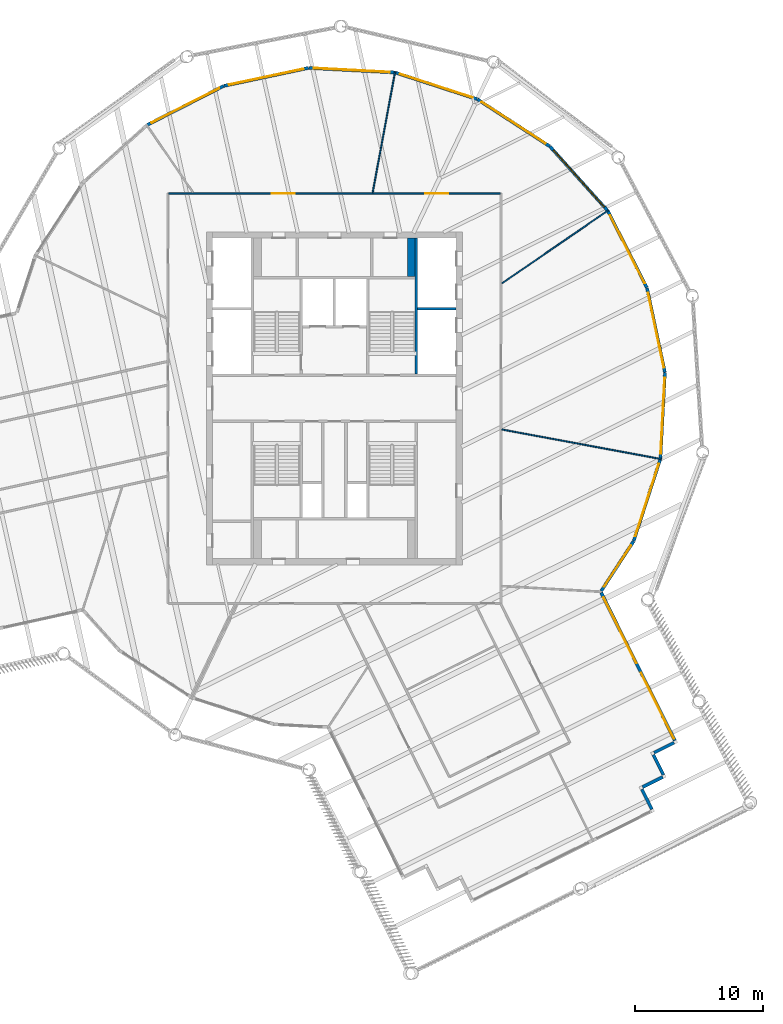
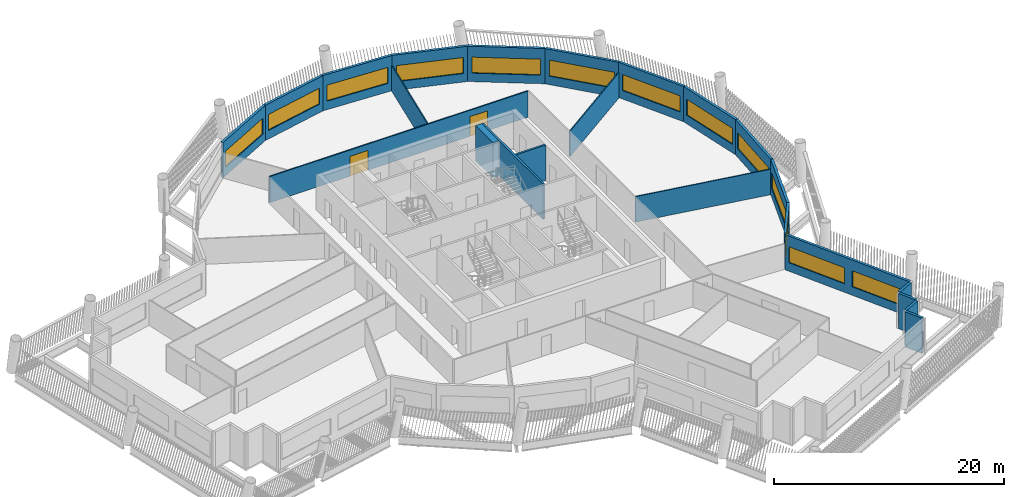
# One storey, part 6 of 14: 23 walls, 13 windows, 2 doors, 15 openings.
"""IFC4 building model written with IfcOpenShell, lengths in metres."""

from ifc_helpers import new_model, si_unit, direction, frame, frame_2d, origin, place, context, subcontext, project, spatial, rectangle, extrude, material, layer, layer_set, type_object, element, fill, save


model = new_model("IFC4")

# Units and contexts
model_context = context("Model", 3, precision=1e-05, world=origin(), true_north=direction((0.0, 1.0)))
body_context = subcontext(model_context, "Body", "Model", "MODEL_VIEW")
ifc_project = project(units=[si_unit("LENGTHUNIT", "METRE"), si_unit("AREAUNIT", "SQUARE_METRE"), si_unit("VOLUMEUNIT", "CUBIC_METRE"), si_unit("PLANEANGLEUNIT", "RADIAN"), si_unit("MASSUNIT", "GRAM", prefix="KILO")], contexts=[model_context])

# Site, building, storey
site_placement = place(None, origin())
site = spatial("IfcSite", under=ifc_project, at=site_placement, CompositionType="ELEMENT")
building_placement = place(site_placement, origin())
building = spatial("IfcBuilding", under=site, at=building_placement, Name="Tarsis Ring Headquarters", CompositionType="ELEMENT")
storey_placement = place(building_placement, frame((0.0, 0.0, 335.300048828125)))
storey = spatial("IfcBuildingStorey", under=building, at=storey_placement, Name="L79", CompositionType="ELEMENT", Elevation=335.300048828125)

# Walls
ifc_material_1 = material(Name="Gypsum board on steel studs", Category="steel")
ifc_layer_1 = layer(ifc_material_1, 0.10009765625)
ifc_layer_set_1 = layer_set([ifc_layer_1], Name="FL partition 100 unrated")
wall_type_1 = type_object("IfcWallType", Name="FL partition 100 unrated", PredefinedType="PARTITIONING", material=ifc_layer_set_1)
wall_1_placement = place(storey_placement, frame((13.06884765625, -2.427001953125, 0.0), z_axis=(0.0, 0.0, 1.0), x_axis=(0.983192594847, -0.182571414622, 0.0)))
element("IfcWall", 1, at=wall_1_placement, inside=storey, type_object=wall_type_1, Name="Partition PW3", PredefinedType="PARTITIONING", context=body_context, shape_type="SweptSolid", body=[
    extrude(rectangle(XDim=12.655517578125, YDim=0.10009765625, at=frame_2d((6.32763671875, 0.0))), origin(), (0.0, 0.0, 1.0), 2.699951171875),
])
wall_2_placement = place(storey_placement, frame((13.08251953125, 8.984619140625, 0.0), z_axis=(0.0, 0.0, 1.0), x_axis=(0.824315391266, 0.566130846821, 0.0)))
element("IfcWall", 2, at=wall_2_placement, inside=storey, type_object=wall_type_1, Name="Partition PW3", PredefinedType="PARTITIONING", context=body_context, shape_type="SweptSolid", body=[
    extrude(rectangle(XDim=10.077392578125, YDim=0.10009765625, at=frame_2d((5.03857421875, 0.0))), origin(), (0.0, 0.0, 1.0), 2.699951171875),
])
wall_3_placement = place(storey_placement, frame((2.98388671875, 16.06884765625, 0.0), z_axis=(0.0, 0.0, 1.0), x_axis=(0.182590789708, 0.983188996843, 0.0)))
element("IfcWall", 3, at=wall_3_placement, inside=storey, type_object=wall_type_1, Name="Partition PW3", PredefinedType="PARTITIONING", context=body_context, shape_type="SweptSolid", body=[
    extrude(rectangle(XDim=9.604248046875, YDim=0.10009765625, at=frame_2d((4.80224609375, 0.0))), origin(), (0.0, 0.0, 1.0), 2.699951171875),
])

# Wall, openings, doors
ifc_layer_2 = layer(ifc_material_1, 0.125)
ifc_layer_set_2 = layer_set([ifc_layer_2], Name="FL partition 125 EI 60 H2770")
wall_type_2 = type_object("IfcWallType", Name="FL partition 125 EI 60 H2770", PredefinedType="PARTITIONING", material=ifc_layer_set_2)
wall_4_placement = place(storey_placement, frame((-12.93994140625, 16.0, 0.0), z_axis=(0.0, 0.0, 1.0), x_axis=(1.0, 0.0, 0.0)))
wall_4 = element("IfcWall", 4, at=wall_4_placement, inside=storey, type_object=wall_type_2, Name="Partition PW1", PredefinedType="PARTITIONING", context=body_context, shape_type="SweptSolid", body=[
    extrude(rectangle(XDim=25.8798828125, YDim=0.125, at=frame_2d((12.93994140625, 0.0))), origin(), (0.0, 0.0, 1.0), 2.77001953125),
])
opening_1_placement = place(wall_4_placement, frame((8.031494140625, 0.0, 0.0)))
opening_1 = element("IfcOpeningElement", 5, at=opening_1_placement, cuts=wall_4, Name="Opening D79.05", PredefinedType="OPENING", context=body_context, shape_type="SweptSolid", body=[
    extrude(rectangle(XDim=1.800048828125, YDim=2.10009765625, at=frame_2d((0.89990234375, 1.050048828125))), frame((0.0, 0.072509765625, 0.0), z_axis=(0.0, -1.0, 0.0), x_axis=(1.0, 0.0, 0.0)), (0.0, 0.0, 1.0), 0.14501953125),
])
opening_2_placement = place(wall_4_placement, frame((20.025634765625, 0.0, 0.0)))
opening_2 = element("IfcOpeningElement", 6, at=opening_2_placement, cuts=wall_4, Name="Opening D79.06", PredefinedType="OPENING", context=body_context, shape_type="SweptSolid", body=[
    extrude(rectangle(XDim=1.800048828125, YDim=2.10009765625, at=frame_2d((0.89990234375, 1.050048828125))), frame((0.0, 0.072509765625, 0.0), z_axis=(0.0, -1.0, 0.0), x_axis=(1.0, 0.0, 0.0)), (0.0, 0.0, 1.0), 0.14501953125),
])
ifc_material_2 = material(Name="Fire-rated timber door leaf in steel frame", Category="steel")
door_type = type_object("IfcDoorType", Name="FL door FD60-1800", OperationType="DOUBLE_DOOR_SINGLE_SWING", PredefinedType="DOOR", material=ifc_material_2)
door_1_placement = place(opening_1_placement, origin())
door_1 = element("IfcDoor", 7, at=door_1_placement, inside=storey, type_object=door_type, Name="Door D79.05", OperationType="DOUBLE_DOOR_SINGLE_SWING", OverallHeight=2.10009765625, OverallWidth=1.800048828125, PredefinedType="DOOR", context=body_context, shape_type="SweptSolid", body=[
    extrude(rectangle(XDim=1.800048828125, YDim=2.10009765625, at=frame_2d((0.89990234375, 1.050048828125))), frame((0.0, 0.02490234375, 0.0), z_axis=(0.0, -1.0, 0.0), x_axis=(1.0, 0.0, 0.0)), (0.0, 0.0, 1.0), 0.050048828125),
])
fill(opening_1, door_1)
door_2_placement = place(opening_2_placement, origin())
door_2 = element("IfcDoor", 8, at=door_2_placement, inside=storey, type_object=door_type, Name="Door D79.06", OperationType="DOUBLE_DOOR_SINGLE_SWING", OverallHeight=2.10009765625, OverallWidth=1.800048828125, PredefinedType="DOOR", context=body_context, shape_type="SweptSolid", body=[
    extrude(rectangle(XDim=1.800048828125, YDim=2.10009765625, at=frame_2d((0.89990234375, 1.050048828125))), frame((0.0, 0.02490234375, 0.0), z_axis=(0.0, -1.0, 0.0), x_axis=(1.0, 0.0, 0.0)), (0.0, 0.0, 1.0), 0.050048828125),
])
fill(opening_2, door_2)

# Walls
ifc_material_3 = material(Name="Terracotta clad insulated panel wall", Category="masonry")
ifc_layer_3 = layer(ifc_material_3, 0.25)
ifc_layer_set_3 = layer_set([ifc_layer_3], Name="Facade wall terracotta panel 250")
wall_type_3 = type_object("IfcWallType", Name="Facade wall terracotta panel 250", PredefinedType="STANDARD", material=ifc_layer_set_3)
wall_5_placement = place(storey_placement, frame((24.772705078125, -32.068603515625, 0.0), z_axis=(0.0, 0.0, 1.0), x_axis=(-0.445818126326, 0.895123565905, 0.0)))
element("IfcWall", 9, at=wall_5_placement, inside=storey, type_object=wall_type_3, Name="External wall L79-12", PredefinedType="STANDARD", context=body_context, shape_type="SweptSolid", body=[
    extrude(rectangle(XDim=1.750244140625, YDim=0.25, at=frame_2d((0.875, 0.0))), origin(), (0.0, 0.0, 1.0), 3.739990234375),
])
for number, where, z_axis, x_axis, name in (
    (10, (24.048583984375, -30.33447265625, 0.0), (0.0, 0.0, 1.0), (0.895095836041, 0.445873798627, 0.0), "External wall L79-13"),
    (11, (25.671142578125, -29.386474609375, 0.0), (0.0, 0.0, 1.0), (-0.445873798627, 0.895095836041, 0.0), "External wall L79-14"),
    (12, (24.947021484375, -27.652587890625, 0.0), (0.0, 0.0, 1.0), (0.895095836041, 0.445873798627, 0.0), "External wall L79-15"),
):
    element("IfcWall", number, at=place(storey_placement, frame(where, z_axis=z_axis, x_axis=x_axis)), inside=storey, type_object=wall_type_3, Name=name, PredefinedType="STANDARD", context=body_context, shape_type="SweptSolid", body=[
        extrude(rectangle(XDim=1.75, YDim=0.25, at=frame_2d((0.875, 0.0))), origin(), (0.0, 0.0, 1.0), 3.739990234375),
    ])

# Wall, openings, windows
wall_6_placement = place(storey_placement, frame((26.569580078125, -26.70458984375, 0.0), z_axis=(0.0, 0.0, 1.0), x_axis=(-0.445880868997, 0.895092314045, 0.0)))
wall_6 = element("IfcWall", 13, at=wall_6_placement, inside=storey, type_object=wall_type_3, Name="External wall L79-16", PredefinedType="STANDARD", context=body_context, shape_type="SweptSolid", body=[
    extrude(rectangle(XDim=12.9013671875, YDim=0.25, at=frame_2d((6.45068359375, 0.0))), origin(), (0.0, 0.0, 1.0), 3.739990234375),
])
opening_3_placement = place(wall_6_placement, frame((0.162841796875, 0.0, 0.89990234375)))
opening_3 = element("IfcOpeningElement", 14, at=opening_3_placement, cuts=wall_6, Name="Opening WN06", PredefinedType="OPENING", context=body_context, shape_type="SweptSolid", body=[
    extrude(rectangle(XDim=5.75, YDim=1.699951171875, at=frame_2d((2.875, 0.85009765625))), frame((0.0, 0.135009765625, 0.0), z_axis=(0.0, -1.0, 0.0), x_axis=(1.0, 0.0, 0.0)), (0.0, 0.0, 1.0), 0.27001953125),
])
opening_4_placement = place(wall_6_placement, frame((6.738525390625, 0.0, 0.89990234375)))
opening_4 = element("IfcOpeningElement", 15, at=opening_4_placement, cuts=wall_6, Name="Opening WN06", PredefinedType="OPENING", context=body_context, shape_type="SweptSolid", body=[
    extrude(rectangle(XDim=5.75, YDim=1.699951171875, at=frame_2d((2.875, 0.85009765625))), frame((0.0, 0.135009765625, 0.0), z_axis=(0.0, -1.0, 0.0), x_axis=(1.0, 0.0, 0.0)), (0.0, 0.0, 1.0), 0.27001953125),
])
ifc_material_4 = material(Name="Aluminium framed double glazing", Category="aluminium")
window_type_1 = type_object("IfcWindowType", Name="Facade window 5750 x 1700", PartitioningType="SINGLE_PANEL", PredefinedType="WINDOW", material=ifc_material_4)
window_1_placement = place(opening_3_placement, origin())
window_1 = element("IfcWindow", 16, at=window_1_placement, inside=storey, type_object=window_type_1, Name="Window L79-16.1", OverallHeight=1.699951171875, OverallWidth=5.75, PartitioningType="SINGLE_PANEL", PredefinedType="WINDOW", context=body_context, shape_type="SweptSolid", body=[
    extrude(rectangle(XDim=5.75, YDim=1.699951171875, at=frame_2d((2.875, 0.85009765625))), frame((0.0, 0.030029296875, 0.0), z_axis=(0.0, -1.0, 0.0), x_axis=(1.0, 0.0, 0.0)), (0.0, 0.0, 1.0), 0.06005859375),
])
fill(opening_3, window_1)
window_2_placement = place(opening_4_placement, origin())
window_2 = element("IfcWindow", 17, at=window_2_placement, inside=storey, type_object=window_type_1, Name="Window L79-16.2", OverallHeight=1.699951171875, OverallWidth=5.75, PartitioningType="SINGLE_PANEL", PredefinedType="WINDOW", context=body_context, shape_type="SweptSolid", body=[
    extrude(rectangle(XDim=5.75, YDim=1.699951171875, at=frame_2d((2.875, 0.85009765625))), frame((0.0, 0.030029296875, 0.0), z_axis=(0.0, -1.0, 0.0), x_axis=(1.0, 0.0, 0.0)), (0.0, 0.0, 1.0), 0.06005859375),
])
fill(opening_4, window_2)

# Wall, opening, window
wall_7_placement = place(storey_placement, frame((20.82421875, -15.032958984375, 0.0), z_axis=(0.0, 0.0, 1.0), x_axis=(0.544914016864, 0.838491928539, 0.0)))
wall_7 = element("IfcWall", 18, at=wall_7_placement, inside=storey, type_object=wall_type_3, Name="External wall L79-17", PredefinedType="STANDARD", context=body_context, shape_type="SweptSolid", body=[
    extrude(rectangle(XDim=4.617919921875, YDim=0.25, at=frame_2d((2.30908203125, 0.0))), origin(), (0.0, 0.0, 1.0), 3.739990234375),
])
opening_5_placement = place(wall_7_placement, frame((0.400390625, 0.0, 0.89990234375)))
opening_5 = element("IfcOpeningElement", 19, at=opening_5_placement, cuts=wall_7, Name="Opening WN02", PredefinedType="OPENING", context=body_context, shape_type="SweptSolid", body=[
    extrude(rectangle(XDim=3.85009765625, YDim=1.699951171875, at=frame_2d((1.925048828125, 0.85009765625))), frame((0.0, 0.135009765625, 0.0), z_axis=(0.0, -1.0, 0.0), x_axis=(1.0, 0.0, 0.0)), (0.0, 0.0, 1.0), 0.27001953125),
])
window_type_2 = type_object("IfcWindowType", Name="Facade window 3850 x 1700", PartitioningType="SINGLE_PANEL", PredefinedType="WINDOW", material=ifc_material_4)
window_3_placement = place(opening_5_placement, origin())
window_3 = element("IfcWindow", 20, at=window_3_placement, inside=storey, type_object=window_type_2, Name="Window L79-17.1", OverallHeight=1.699951171875, OverallWidth=3.85009765625, PartitioningType="SINGLE_PANEL", PredefinedType="WINDOW", context=body_context, shape_type="SweptSolid", body=[
    extrude(rectangle(XDim=3.85009765625, YDim=1.699951171875, at=frame_2d((1.925048828125, 0.85009765625))), frame((0.0, 0.030029296875, 0.0), z_axis=(0.0, -1.0, 0.0), x_axis=(1.0, 0.0, 0.0)), (0.0, 0.0, 1.0), 0.06005859375),
])
fill(opening_5, window_3)

wall_8_placement = place(storey_placement, frame((23.354736328125, -11.131591796875, 0.0), z_axis=(0.0, 0.0, 1.0), x_axis=(0.309321778756, 0.950957431848, 0.0)))
wall_8 = element("IfcWall", 21, at=wall_8_placement, inside=storey, type_object=wall_type_3, Name="External wall L79-18", PredefinedType="STANDARD", context=body_context, shape_type="SweptSolid", body=[
    extrude(rectangle(XDim=6.721435546875, YDim=0.25, at=frame_2d((3.36083984375, 0.0))), origin(), (0.0, 0.0, 1.0), 3.739990234375),
])
opening_6_placement = place(wall_8_placement, frame((0.3857421875, 0.0, 0.89990234375)))
opening_6 = element("IfcOpeningElement", 22, at=opening_6_placement, cuts=wall_8, Name="Opening WN07", PredefinedType="OPENING", context=body_context, shape_type="SweptSolid", body=[
    extrude(rectangle(XDim=5.949951171875, YDim=1.699951171875, at=frame_2d((2.97509765625, 0.85009765625))), frame((0.0, 0.135009765625, 0.0), z_axis=(0.0, -1.0, 0.0), x_axis=(1.0, 0.0, 0.0)), (0.0, 0.0, 1.0), 0.27001953125),
])
window_type_3 = type_object("IfcWindowType", Name="Facade window 5950 x 1700", PartitioningType="SINGLE_PANEL", PredefinedType="WINDOW", material=ifc_material_4)
window_4_placement = place(opening_6_placement, origin())
window_4 = element("IfcWindow", 23, at=window_4_placement, inside=storey, type_object=window_type_3, Name="Window L79-18.1", OverallHeight=1.699951171875, OverallWidth=5.949951171875, PartitioningType="SINGLE_PANEL", PredefinedType="WINDOW", context=body_context, shape_type="SweptSolid", body=[
    extrude(rectangle(XDim=5.949951171875, YDim=1.699951171875, at=frame_2d((2.97509765625, 0.85009765625))), frame((0.0, 0.030029296875, 0.0), z_axis=(0.0, -1.0, 0.0), x_axis=(1.0, 0.0, 0.0)), (0.0, 0.0, 1.0), 0.06005859375),
])
fill(opening_6, window_4)

wall_9_placement = place(storey_placement, frame((25.43994140625, -4.70751953125, 0.0), z_axis=(0.0, 0.0, 1.0), x_axis=(0.052667499036, 0.998612104145, 0.0)))
wall_9 = element("IfcWall", 24, at=wall_9_placement, inside=storey, type_object=wall_type_3, Name="External wall L79-19", PredefinedType="STANDARD", context=body_context, shape_type="SweptSolid", body=[
    extrude(rectangle(XDim=6.721435546875, YDim=0.25, at=frame_2d((3.36083984375, 0.0))), origin(), (0.0, 0.0, 1.0), 3.739990234375),
])
opening_7_placement = place(wall_9_placement, frame((0.3857421875, 0.0, 0.89990234375)))
opening_7 = element("IfcOpeningElement", 25, at=opening_7_placement, cuts=wall_9, Name="Opening WN07", PredefinedType="OPENING", context=body_context, shape_type="SweptSolid", body=[
    extrude(rectangle(XDim=5.949951171875, YDim=1.699951171875, at=frame_2d((2.97509765625, 0.85009765625))), frame((0.0, 0.135009765625, 0.0), z_axis=(0.0, -1.0, 0.0), x_axis=(1.0, 0.0, 0.0)), (0.0, 0.0, 1.0), 0.27001953125),
])
window_5_placement = place(opening_7_placement, origin())
window_5 = element("IfcWindow", 26, at=window_5_placement, inside=storey, type_object=window_type_3, Name="Window L79-19.1", OverallHeight=1.699951171875, OverallWidth=5.949951171875, PartitioningType="SINGLE_PANEL", PredefinedType="WINDOW", context=body_context, shape_type="SweptSolid", body=[
    extrude(rectangle(XDim=5.949951171875, YDim=1.699951171875, at=frame_2d((2.97509765625, 0.85009765625))), frame((0.0, 0.030029296875, 0.0), z_axis=(0.0, -1.0, 0.0), x_axis=(1.0, 0.0, 0.0)), (0.0, 0.0, 1.0), 0.06005859375),
])
fill(opening_7, window_5)

wall_10_placement = place(storey_placement, frame((25.79150390625, 2.037109375, 0.0), z_axis=(0.0, 0.0, 1.0), x_axis=(-0.207578989768, 0.978218259392, 0.0)))
wall_10 = element("IfcWall", 27, at=wall_10_placement, inside=storey, type_object=wall_type_3, Name="External wall L79-20", PredefinedType="STANDARD", context=body_context, shape_type="SweptSolid", body=[
    extrude(rectangle(XDim=6.7216796875, YDim=0.25, at=frame_2d((3.36083984375, 0.0))), origin(), (0.0, 0.0, 1.0), 3.739990234375),
])
opening_8_placement = place(wall_10_placement, frame((0.3857421875, 0.0, 0.89990234375)))
opening_8 = element("IfcOpeningElement", 28, at=opening_8_placement, cuts=wall_10, Name="Opening WN07", PredefinedType="OPENING", context=body_context, shape_type="SweptSolid", body=[
    extrude(rectangle(XDim=5.949951171875, YDim=1.699951171875, at=frame_2d((2.97509765625, 0.85009765625))), frame((0.0, 0.135009765625, 0.0), z_axis=(0.0, -1.0, 0.0), x_axis=(1.0, 0.0, 0.0)), (0.0, 0.0, 1.0), 0.27001953125),
])
window_6_placement = place(opening_8_placement, origin())
window_6 = element("IfcWindow", 29, at=window_6_placement, inside=storey, type_object=window_type_3, Name="Window L79-20.1", OverallHeight=1.699951171875, OverallWidth=5.949951171875, PartitioningType="SINGLE_PANEL", PredefinedType="WINDOW", context=body_context, shape_type="SweptSolid", body=[
    extrude(rectangle(XDim=5.949951171875, YDim=1.699951171875, at=frame_2d((2.97509765625, 0.85009765625))), frame((0.0, 0.030029296875, 0.0), z_axis=(0.0, -1.0, 0.0), x_axis=(1.0, 0.0, 0.0)), (0.0, 0.0, 1.0), 0.06005859375),
])
fill(opening_8, window_6)

wall_11_placement = place(storey_placement, frame((24.385498046875, 8.64306640625, 0.0), z_axis=(0.0, 0.0, 1.0), x_axis=(-0.453696152339, 0.891156440448, 0.0)))
wall_11 = element("IfcWall", 30, at=wall_11_placement, inside=storey, type_object=wall_type_3, Name="External wall L79-21", PredefinedType="STANDARD", context=body_context, shape_type="SweptSolid", body=[
    extrude(rectangle(XDim=6.7216796875, YDim=0.25, at=frame_2d((3.36083984375, 0.0))), origin(), (0.0, 0.0, 1.0), 3.739990234375),
])
opening_9_placement = place(wall_11_placement, frame((0.3857421875, 0.0, 0.89990234375)))
opening_9 = element("IfcOpeningElement", 31, at=opening_9_placement, cuts=wall_11, Name="Opening WN07", PredefinedType="OPENING", context=body_context, shape_type="SweptSolid", body=[
    extrude(rectangle(XDim=5.949951171875, YDim=1.699951171875, at=frame_2d((2.97509765625, 0.85009765625))), frame((0.0, 0.135009765625, 0.0), z_axis=(0.0, -1.0, 0.0), x_axis=(1.0, 0.0, 0.0)), (0.0, 0.0, 1.0), 0.27001953125),
])
window_7_placement = place(opening_9_placement, origin())
window_7 = element("IfcWindow", 32, at=window_7_placement, inside=storey, type_object=window_type_3, Name="Window L79-21.1", OverallHeight=1.699951171875, OverallWidth=5.949951171875, PartitioningType="SINGLE_PANEL", PredefinedType="WINDOW", context=body_context, shape_type="SweptSolid", body=[
    extrude(rectangle(XDim=5.949951171875, YDim=1.699951171875, at=frame_2d((2.97509765625, 0.85009765625))), frame((0.0, 0.030029296875, 0.0), z_axis=(0.0, -1.0, 0.0), x_axis=(1.0, 0.0, 0.0)), (0.0, 0.0, 1.0), 0.06005859375),
])
fill(opening_9, window_7)

wall_12_placement = place(storey_placement, frame((21.3173828125, 14.659912109375, 0.0), z_axis=(0.0, 0.0, 1.0), x_axis=(-0.66887642943, 0.743373608728, 0.0)))
wall_12 = element("IfcWall", 33, at=wall_12_placement, inside=storey, type_object=wall_type_3, Name="External wall L79-22", PredefinedType="STANDARD", context=body_context, shape_type="SweptSolid", body=[
    extrude(rectangle(XDim=6.721435546875, YDim=0.25, at=frame_2d((3.36083984375, 0.0))), origin(), (0.0, 0.0, 1.0), 3.739990234375),
])
opening_10_placement = place(wall_12_placement, frame((0.3857421875, 0.0, 0.89990234375)))
opening_10 = element("IfcOpeningElement", 34, at=opening_10_placement, cuts=wall_12, Name="Opening WN07", PredefinedType="OPENING", context=body_context, shape_type="SweptSolid", body=[
    extrude(rectangle(XDim=5.949951171875, YDim=1.699951171875, at=frame_2d((2.97509765625, 0.85009765625))), frame((0.0, 0.135009765625, 0.0), z_axis=(0.0, -1.0, 0.0), x_axis=(1.0, 0.0, 0.0)), (0.0, 0.0, 1.0), 0.27001953125),
])
window_8_placement = place(opening_10_placement, origin())
window_8 = element("IfcWindow", 35, at=window_8_placement, inside=storey, type_object=window_type_3, Name="Window L79-22.1", OverallHeight=1.699951171875, OverallWidth=5.949951171875, PartitioningType="SINGLE_PANEL", PredefinedType="WINDOW", context=body_context, shape_type="SweptSolid", body=[
    extrude(rectangle(XDim=5.949951171875, YDim=1.699951171875, at=frame_2d((2.97509765625, 0.85009765625))), frame((0.0, 0.030029296875, 0.0), z_axis=(0.0, -1.0, 0.0), x_axis=(1.0, 0.0, 0.0)), (0.0, 0.0, 1.0), 0.06005859375),
])
fill(opening_10, window_8)

wall_13_placement = place(storey_placement, frame((16.796875, 19.677734375, 0.0), z_axis=(0.0, 0.0, 1.0), x_axis=(-0.838480957136, 0.544930898848, 0.0)))
wall_13 = element("IfcWall", 36, at=wall_13_placement, inside=storey, type_object=wall_type_3, Name="External wall L79-23", PredefinedType="STANDARD", context=body_context, shape_type="SweptSolid", body=[
    extrude(rectangle(XDim=6.7216796875, YDim=0.25, at=frame_2d((3.36083984375, 0.0))), origin(), (0.0, 0.0, 1.0), 3.739990234375),
])
opening_11_placement = place(wall_13_placement, frame((0.3857421875, 0.0, 0.89990234375)))
opening_11 = element("IfcOpeningElement", 37, at=opening_11_placement, cuts=wall_13, Name="Opening WN07", PredefinedType="OPENING", context=body_context, shape_type="SweptSolid", body=[
    extrude(rectangle(XDim=5.949951171875, YDim=1.699951171875, at=frame_2d((2.97509765625, 0.85009765625))), frame((0.0, 0.135009765625, 0.0), z_axis=(0.0, -1.0, 0.0), x_axis=(1.0, 0.0, 0.0)), (0.0, 0.0, 1.0), 0.27001953125),
])
window_9_placement = place(opening_11_placement, origin())
window_9 = element("IfcWindow", 38, at=window_9_placement, inside=storey, type_object=window_type_3, Name="Window L79-23.1", OverallHeight=1.699951171875, OverallWidth=5.949951171875, PartitioningType="SINGLE_PANEL", PredefinedType="WINDOW", context=body_context, shape_type="SweptSolid", body=[
    extrude(rectangle(XDim=5.949951171875, YDim=1.699951171875, at=frame_2d((2.97509765625, 0.85009765625))), frame((0.0, 0.030029296875, 0.0), z_axis=(0.0, -1.0, 0.0), x_axis=(1.0, 0.0, 0.0)), (0.0, 0.0, 1.0), 0.06005859375),
])
fill(opening_11, window_9)

wall_14_placement = place(storey_placement, frame((11.131591796875, 23.354736328125, 0.0), z_axis=(0.0, 0.0, 1.0), x_axis=(-0.950957431848, 0.309321778756, 0.0)))
wall_14 = element("IfcWall", 39, at=wall_14_placement, inside=storey, type_object=wall_type_3, Name="External wall L79-24", PredefinedType="STANDARD", context=body_context, shape_type="SweptSolid", body=[
    extrude(rectangle(XDim=6.721435546875, YDim=0.25, at=frame_2d((3.36083984375, 0.0))), origin(), (0.0, 0.0, 1.0), 3.739990234375),
])
opening_12_placement = place(wall_14_placement, frame((0.3857421875, 0.0, 0.89990234375)))
opening_12 = element("IfcOpeningElement", 40, at=opening_12_placement, cuts=wall_14, Name="Opening WN07", PredefinedType="OPENING", context=body_context, shape_type="SweptSolid", body=[
    extrude(rectangle(XDim=5.949951171875, YDim=1.699951171875, at=frame_2d((2.97509765625, 0.85009765625))), frame((0.0, 0.135009765625, 0.0), z_axis=(0.0, -1.0, 0.0), x_axis=(1.0, 0.0, 0.0)), (0.0, 0.0, 1.0), 0.27001953125),
])
window_10_placement = place(opening_12_placement, origin())
window_10 = element("IfcWindow", 41, at=window_10_placement, inside=storey, type_object=window_type_3, Name="Window L79-24.1", OverallHeight=1.699951171875, OverallWidth=5.949951171875, PartitioningType="SINGLE_PANEL", PredefinedType="WINDOW", context=body_context, shape_type="SweptSolid", body=[
    extrude(rectangle(XDim=5.949951171875, YDim=1.699951171875, at=frame_2d((2.97509765625, 0.85009765625))), frame((0.0, 0.030029296875, 0.0), z_axis=(0.0, -1.0, 0.0), x_axis=(1.0, 0.0, 0.0)), (0.0, 0.0, 1.0), 0.06005859375),
])
fill(opening_12, window_10)

wall_15_placement = place(storey_placement, frame((4.70751953125, 25.43994140625, 0.0), z_axis=(0.0, 0.0, 1.0), x_axis=(-0.998612104145, 0.052667499036, 0.0)))
wall_15 = element("IfcWall", 42, at=wall_15_placement, inside=storey, type_object=wall_type_3, Name="External wall L79-25", PredefinedType="STANDARD", context=body_context, shape_type="SweptSolid", body=[
    extrude(rectangle(XDim=6.721435546875, YDim=0.25, at=frame_2d((3.36083984375, 0.0))), origin(), (0.0, 0.0, 1.0), 3.739990234375),
])
opening_13_placement = place(wall_15_placement, frame((0.3857421875, 0.0, 0.89990234375)))
opening_13 = element("IfcOpeningElement", 43, at=opening_13_placement, cuts=wall_15, Name="Opening WN07", PredefinedType="OPENING", context=body_context, shape_type="SweptSolid", body=[
    extrude(rectangle(XDim=5.949951171875, YDim=1.699951171875, at=frame_2d((2.97509765625, 0.85009765625))), frame((0.0, 0.135009765625, 0.0), z_axis=(0.0, -1.0, 0.0), x_axis=(1.0, 0.0, 0.0)), (0.0, 0.0, 1.0), 0.27001953125),
])
window_11_placement = place(opening_13_placement, origin())
window_11 = element("IfcWindow", 44, at=window_11_placement, inside=storey, type_object=window_type_3, Name="Window L79-25.1", OverallHeight=1.699951171875, OverallWidth=5.949951171875, PartitioningType="SINGLE_PANEL", PredefinedType="WINDOW", context=body_context, shape_type="SweptSolid", body=[
    extrude(rectangle(XDim=5.949951171875, YDim=1.699951171875, at=frame_2d((2.97509765625, 0.85009765625))), frame((0.0, 0.030029296875, 0.0), z_axis=(0.0, -1.0, 0.0), x_axis=(1.0, 0.0, 0.0)), (0.0, 0.0, 1.0), 0.06005859375),
])
fill(opening_13, window_11)

wall_16_placement = place(storey_placement, frame((-2.037109375, 25.79150390625, 0.0), z_axis=(0.0, 0.0, 1.0), x_axis=(-0.978218259392, -0.207578989768, 0.0)))
wall_16 = element("IfcWall", 45, at=wall_16_placement, inside=storey, type_object=wall_type_3, Name="External wall L79-26", PredefinedType="STANDARD", context=body_context, shape_type="SweptSolid", body=[
    extrude(rectangle(XDim=6.7216796875, YDim=0.25, at=frame_2d((3.36083984375, 0.0))), origin(), (0.0, 0.0, 1.0), 3.739990234375),
])
opening_14_placement = place(wall_16_placement, frame((0.3857421875, 0.0, 0.89990234375)))
opening_14 = element("IfcOpeningElement", 46, at=opening_14_placement, cuts=wall_16, Name="Opening WN07", PredefinedType="OPENING", context=body_context, shape_type="SweptSolid", body=[
    extrude(rectangle(XDim=5.949951171875, YDim=1.699951171875, at=frame_2d((2.97509765625, 0.85009765625))), frame((0.0, 0.135009765625, 0.0), z_axis=(0.0, -1.0, 0.0), x_axis=(1.0, 0.0, 0.0)), (0.0, 0.0, 1.0), 0.27001953125),
])
window_12_placement = place(opening_14_placement, origin())
window_12 = element("IfcWindow", 47, at=window_12_placement, inside=storey, type_object=window_type_3, Name="Window L79-26.1", OverallHeight=1.699951171875, OverallWidth=5.949951171875, PartitioningType="SINGLE_PANEL", PredefinedType="WINDOW", context=body_context, shape_type="SweptSolid", body=[
    extrude(rectangle(XDim=5.949951171875, YDim=1.699951171875, at=frame_2d((2.97509765625, 0.85009765625))), frame((0.0, 0.030029296875, 0.0), z_axis=(0.0, -1.0, 0.0), x_axis=(1.0, 0.0, 0.0)), (0.0, 0.0, 1.0), 0.06005859375),
])
fill(opening_14, window_12)

wall_17_placement = place(storey_placement, frame((-8.64306640625, 24.385498046875, 0.0), z_axis=(0.0, 0.0, 1.0), x_axis=(-0.891156440448, -0.453696152339, 0.0)))
wall_17 = element("IfcWall", 48, at=wall_17_placement, inside=storey, type_object=wall_type_3, Name="External wall L79-27", PredefinedType="STANDARD", context=body_context, shape_type="SweptSolid", body=[
    extrude(rectangle(XDim=6.7216796875, YDim=0.25, at=frame_2d((3.36083984375, 0.0))), origin(), (0.0, 0.0, 1.0), 3.739990234375),
])
opening_15_placement = place(wall_17_placement, frame((0.3857421875, 0.0, 0.89990234375)))
opening_15 = element("IfcOpeningElement", 49, at=opening_15_placement, cuts=wall_17, Name="Opening WN07", PredefinedType="OPENING", context=body_context, shape_type="SweptSolid", body=[
    extrude(rectangle(XDim=5.949951171875, YDim=1.699951171875, at=frame_2d((2.97509765625, 0.85009765625))), frame((0.0, 0.135009765625, 0.0), z_axis=(0.0, -1.0, 0.0), x_axis=(1.0, 0.0, 0.0)), (0.0, 0.0, 1.0), 0.27001953125),
])
window_13_placement = place(opening_15_placement, origin())
window_13 = element("IfcWindow", 50, at=window_13_placement, inside=storey, type_object=window_type_3, Name="Window L79-27.1", OverallHeight=1.699951171875, OverallWidth=5.949951171875, PartitioningType="SINGLE_PANEL", PredefinedType="WINDOW", context=body_context, shape_type="SweptSolid", body=[
    extrude(rectangle(XDim=5.949951171875, YDim=1.699951171875, at=frame_2d((2.97509765625, 0.85009765625))), frame((0.0, 0.030029296875, 0.0), z_axis=(0.0, -1.0, 0.0), x_axis=(1.0, 0.0, 0.0)), (0.0, 0.0, 1.0), 0.06005859375),
])
fill(opening_15, window_13)

# Walls
ifc_material_5 = material(Name="Concrete C32/40", Category="concrete")
ifc_layer_4 = layer(ifc_material_5, 0.60009765625)
ifc_layer_set_4 = layer_set([ifc_layer_4], Name="Shaft end wall 600 C32/40")
wall_type_4 = type_object("IfcWallType", Name="Shaft end wall 600 C32/40", PredefinedType="SOLIDWALL", material=ifc_layer_set_4)
wall_18_placement = place(storey_placement, frame((6.0, 9.5, 0.0), z_axis=(0.0, 0.0, 1.0), x_axis=(0.0, 1.0, 0.0)))
element("IfcWall", 51, at=wall_18_placement, inside=storey, type_object=wall_type_4, Name="Core shaft wall NNE2", PredefinedType="SOLIDWALL", context=body_context, shape_type="SweptSolid", body=[
    extrude(rectangle(XDim=3.0, YDim=0.60009765625, at=frame_2d((1.5, 0.0))), origin(), (0.0, 0.0, 1.0), 3.739990234375),
])
ifc_layer_5 = layer(ifc_material_5, 0.199951171875)
ifc_layer_set_5 = layer_set([ifc_layer_5], Name="Shaft wall 200 C32/40")
wall_type_5 = type_object("IfcWallType", Name="Shaft wall 200 C32/40", PredefinedType="SOLIDWALL", material=ifc_layer_set_5)
wall_19_placement = place(storey_placement, frame((6.39990234375, 1.89990234375, 0.0), z_axis=(0.0, 0.0, 1.0), x_axis=(0.0, 1.0, 0.0)))
element("IfcWall", 52, at=wall_19_placement, inside=storey, type_object=wall_type_5, Name="Core shaft wall EB2", PredefinedType="SOLIDWALL", context=body_context, shape_type="SweptSolid", body=[
    extrude(rectangle(XDim=10.60009765625, YDim=0.199951171875, at=frame_2d((5.300048828125, 0.0))), origin(), (0.0, 0.0, 1.0), 3.739990234375),
])
wall_20_placement = place(storey_placement, frame((6.5, 7.0, 0.0), z_axis=(0.0, 0.0, 1.0), x_axis=(1.0, 0.0, 0.0)))
element("IfcWall", 53, at=wall_20_placement, inside=storey, type_object=wall_type_5, Name="Core shaft wall ED6", PredefinedType="SOLIDWALL", context=body_context, shape_type="SweptSolid", body=[
    extrude(rectangle(XDim=3.0, YDim=0.199951171875, at=frame_2d((1.5, 0.0))), origin(), (0.0, 0.0, 1.0), 3.739990234375),
])

save(model, "model.ifc")
